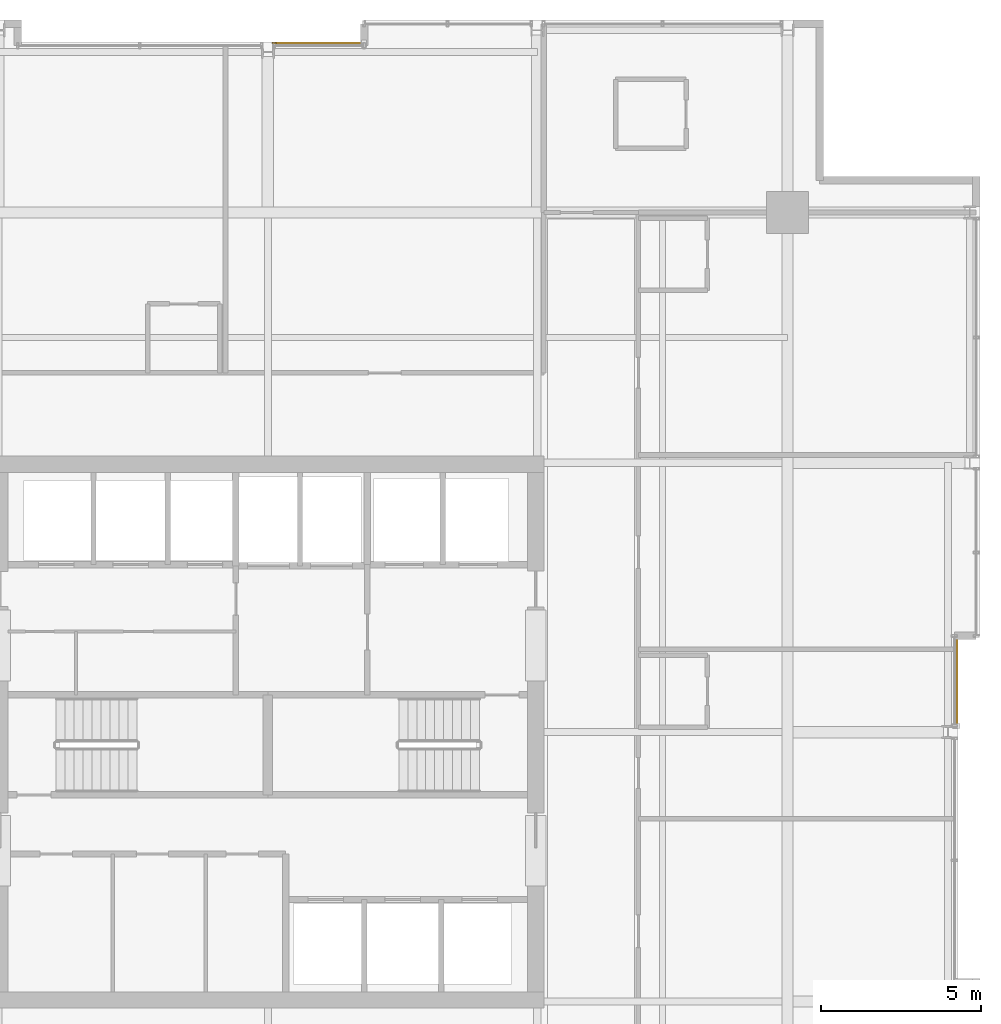
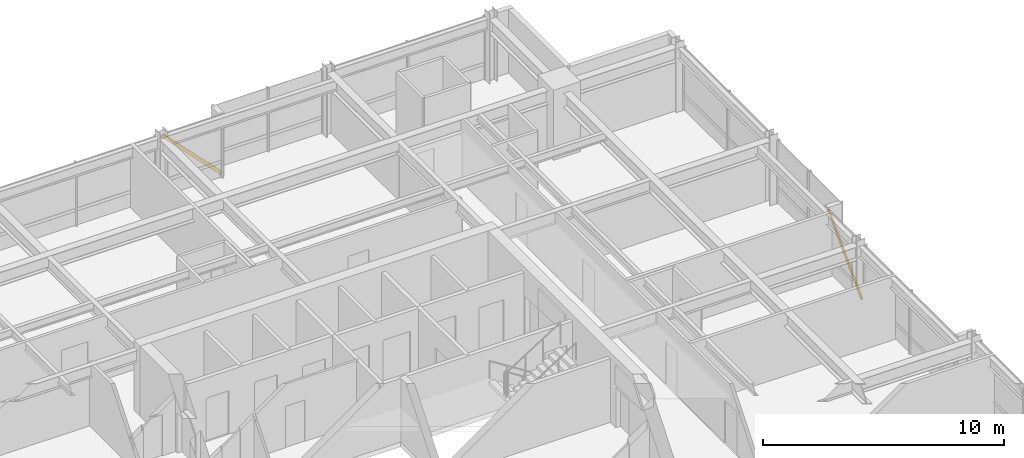
# One storey, part 33 of 33: 2 shading devices.
"""IFC4 building model written with IfcOpenShell, lengths in metres."""

import ifcopenshell
import ifcopenshell.guid

model = None  # the IFC model being written
_history = None  # IfcOwnerHistory: only IFC2X3 demands one
_inside = {}  # id of a spatial element -> (the spatial element, [elements in it])
_under = {}  # id of a project, library or spatial element -> (it, [spatial elements below it])
_declared = {}  # id of a project -> (the project, [libraries it declares])
_typed = {}  # id of a type object -> (the type object, [elements of that type])
_made_of = {}  # id of a material, layer set ... -> (it, [elements and type objects made of it])


def new_model(schema):
    """Start an empty IFC model of exactly this schema.

    Asked for "IFC4X3", IfcOpenShell would pick the latest addendum, in which some entities
    have other attributes; the version numbers below select the first issue.
    IFC2X3 requires an IfcOwnerHistory on every rooted entity: one is made here for all.
    """
    global model, _history
    if schema == "IFC4X3":
        model = ifcopenshell.file(schema_version=(4, 3, 0, 0))
    else:
        model = ifcopenshell.file(schema=schema)
    _inside.clear()
    _under.clear()
    _declared.clear()
    _typed.clear()
    _made_of.clear()
    _history = None
    if model.schema == "IFC2X3":
        org = make("IfcOrganization", Name="unknown")
        user = make(
            "IfcPersonAndOrganization",
            ThePerson=make("IfcPerson", FamilyName="unknown"),
            TheOrganization=org,
        )
        app = make(
            "IfcApplication",
            ApplicationDeveloper=org,
            Version="unknown",
            ApplicationFullName="unknown",
            ApplicationIdentifier="unknown",
        )
        _history = make(
            "IfcOwnerHistory",
            OwningUser=user,
            OwningApplication=app,
            ChangeAction="ADDED",
            CreationDate=0,
        )
    return model


def make(cls, **values):
    """One entity of the class cls with the attributes given. An attribute that is None is left unset."""
    return model.create_entity(
        cls, **{name: value for name, value in values.items() if value is not None}
    )


def rooted(cls, **values):
    """An entity with a GlobalId (a new one), such as an element, a storey or a relation."""
    return make(cls, GlobalId=ifcopenshell.guid.new(), OwnerHistory=_history, **values)


def si_unit(unit_type, name, prefix=None):
    """IfcSIUnit, for example si_unit("LENGTHUNIT", "METRE", prefix="MILLI")."""
    return make("IfcSIUnit", UnitType=unit_type, Prefix=prefix, Name=name)


def assignment(units):
    """IfcUnitAssignment: the units of a project."""
    return None if units is None else make("IfcUnitAssignment", Units=units)


def point(xyz):
    """IfcCartesianPoint."""
    return None if xyz is None else make("IfcCartesianPoint", Coordinates=xyz)


def direction(xyz):
    """IfcDirection."""
    return None if xyz is None else make("IfcDirection", DirectionRatios=xyz)


def frame(location, z_axis=None, x_axis=None):
    """IfcAxis2Placement3D, a coordinate frame: its origin and axes. An axis left out is left unset."""
    return make(
        "IfcAxis2Placement3D",
        Location=point(location),
        Axis=direction(z_axis),
        RefDirection=direction(x_axis),
    )


def frame_2d(location, x_axis=None):
    """IfcAxis2Placement2D, a coordinate frame in the plane: its origin and x axis."""
    return make(
        "IfcAxis2Placement2D", Location=point(location), RefDirection=direction(x_axis)
    )


def origin():
    """The frame at (0, 0, 0) with its axes left unset."""
    return frame((0.0, 0.0, 0.0))


def origin_2d():
    """The frame at (0, 0) in the plane with its x axis left unset."""
    return frame_2d((0.0, 0.0))


def place(relative_to, where):
    """IfcLocalPlacement: puts the frame where relative to a parent placement (None: the world)."""
    return make(
        "IfcLocalPlacement", PlacementRelTo=relative_to, RelativePlacement=where
    )


def context(
    kind, dimensions, precision=None, world=None, true_north=None, identifier=None
):
    """IfcGeometricRepresentationContext, for example the 3D "Model" context."""
    return make(
        "IfcGeometricRepresentationContext",
        ContextIdentifier=identifier,
        ContextType=kind,
        CoordinateSpaceDimension=dimensions,
        Precision=precision,
        WorldCoordinateSystem=world,
        TrueNorth=true_north,
    )


def subcontext(parent, identifier, kind, view, scale=None):
    """IfcGeometricRepresentationSubContext, for example "Body" below "Model"."""
    return make(
        "IfcGeometricRepresentationSubContext",
        ContextIdentifier=identifier,
        ContextType=kind,
        ParentContext=parent,
        TargetScale=scale,
        TargetView=view,
    )


def project(units=None, contexts=None):
    """IfcProject with its units and contexts."""
    return rooted(
        "IfcProject",
        Name="project",
        RepresentationContexts=contexts,
        UnitsInContext=assignment(units),
    )


def spatial(cls, under=None, at=None, **own):
    """A site, building, storey or space (cls), placed at a placement, below another one or the project."""
    s = rooted(cls, ObjectPlacement=at, **own)
    if under is not None:
        _under.setdefault(under.id(), (under, []))[1].append(s)
    return s


def profile(cls, at=None, kind="AREA", **sizes):
    """A parametric profile (cls). Its sizes go by their IFC names, for example OverallWidth=200.0."""
    return make(cls, ProfileType=kind, Position=at, **sizes)


def hollow_rectangle(**sizes):
    """IfcRectangleHollowProfileDef."""
    return profile("IfcRectangleHollowProfileDef", **sizes)


def extrude(swept, where, along, depth):
    """IfcExtrudedAreaSolid: the profile swept, set in the frame where, extruded along a direction by depth."""
    return make(
        "IfcExtrudedAreaSolid",
        SweptArea=swept,
        Position=where,
        ExtrudedDirection=direction(along),
        Depth=depth,
    )


def shape(context_of_items, identifier, shape_type, items):
    """IfcShapeRepresentation: the items that make up one representation, for example the "Body"."""
    return make(
        "IfcShapeRepresentation",
        ContextOfItems=context_of_items,
        RepresentationIdentifier=identifier,
        RepresentationType=shape_type,
        Items=items,
    )


def material(Name=None, Category=None):
    """IfcMaterial."""
    return make("IfcMaterial", Name=Name, Category=Category)


def material_profile(
    of_material, cross_section, Name=None, Category=None, Priority=None
):
    """IfcMaterialProfile: a cross section and its material."""
    return make(
        "IfcMaterialProfile",
        Name=Name,
        Material=of_material,
        Profile=cross_section,
        Priority=Priority,
        Category=Category,
    )


def profile_set(profiles, Name=None, composite=None):
    """IfcMaterialProfileSet."""
    return make(
        "IfcMaterialProfileSet",
        Name=Name,
        MaterialProfiles=profiles,
        CompositeProfile=composite,
    )


def made_of(thing, what):
    """Note that an element or type object is made of a material, layer set ...; save() writes the relation."""
    if what is not None:
        _made_of.setdefault(what.id(), (what, []))[1].append(thing)
    return thing


def type_object(cls, material=None, **own):
    """A type object (cls), such as IfcWallType, which elements share."""
    return made_of(rooted(cls, **own), material)


def element(
    cls,
    number,
    at=None,
    inside=None,
    cuts=None,
    type_object=None,
    material=None,
    context=None,
    identifier="Body",
    shape_type=None,
    held_by="IfcProductDefinitionShape",
    body=None,
    shapes=None,
    **own,
):
    """One element of the class cls, such as IfcWall. Its Tag is "e" and its number.

    at: its placement. inside: the storey or other place that contains it. cuts: it is an
    opening in that element (IfcRelVoidsElement). A single representation is given by context,
    identifier, shape_type and body (its items); several are given by shapes. held_by: the class
    of the entity that holds the representations. save() writes the other relations.
    """
    e = rooted(cls, Tag="e%d" % number, ObjectPlacement=at, **own)
    if body is not None:
        shapes = [shape(context, identifier, shape_type, body)]
    if shapes is not None:
        e.Representation = make(held_by, Representations=shapes)
    if inside is not None:
        _inside.setdefault(inside.id(), (inside, []))[1].append(e)
    if cuts is not None:
        rooted(
            "IfcRelVoidsElement", RelatingBuildingElement=cuts, RelatedOpeningElement=e
        )
    if type_object is not None:
        _typed.setdefault(type_object.id(), (type_object, []))[1].append(e)
    return made_of(e, material)


def aggregate(whole, parts):
    """IfcRelAggregates: a whole, such as a stair, and the parts it consists of."""
    return rooted("IfcRelAggregates", RelatingObject=whole, RelatedObjects=parts)


def save(model, path):
    """Write the relations noted so far, then the file.

    IfcRelAggregates (storeys below a building ...), IfcRelContainedInSpatialStructure (elements
    in a storey), IfcRelDefinesByType, IfcRelAssociatesMaterial and IfcRelDeclares: one each for
    every whole, place, type object, material and project.
    """
    for whole, parts in _under.values():
        aggregate(whole, parts)
    for where, things in _inside.values():
        rooted(
            "IfcRelContainedInSpatialStructure",
            RelatedElements=things,
            RelatingStructure=where,
        )
    for kind, things in _typed.values():
        rooted("IfcRelDefinesByType", RelatedObjects=things, RelatingType=kind)
    for what, things in _made_of.values():
        rooted("IfcRelAssociatesMaterial", RelatedObjects=things, RelatingMaterial=what)
    for by, libraries in _declared.values():
        rooted("IfcRelDeclares", RelatingContext=by, RelatedDefinitions=libraries)
    model.write(path)


model = new_model("IFC4")

# Units and contexts
model_context = context("Model", 3, precision=1e-05, world=origin(), true_north=direction((0.0, 1.0)))
body_context = subcontext(model_context, "Body", "Model", "MODEL_VIEW")
ifc_project = project(units=[si_unit("LENGTHUNIT", "METRE"), si_unit("AREAUNIT", "SQUARE_METRE"), si_unit("VOLUMEUNIT", "CUBIC_METRE"), si_unit("PLANEANGLEUNIT", "RADIAN"), si_unit("MASSUNIT", "GRAM", prefix="KILO")], contexts=[model_context])

# Site, building, storey
site_placement = place(None, origin())
site = spatial("IfcSite", under=ifc_project, at=site_placement, CompositionType="ELEMENT")
building_placement = place(site_placement, origin())
building = spatial("IfcBuilding", under=site, at=building_placement, Name="Drelvath Grand Hotel", CompositionType="ELEMENT")
storey_placement = place(building_placement, frame((0.0, 0.0, 196.550048828125)))
storey = spatial("IfcBuildingStorey", under=building, at=storey_placement, Name="L51", CompositionType="ELEMENT", Elevation=196.550048828125)

# Shading devices
ifc_material = material(Name="Brushed Pale-Silver Anodised Aluminium", Category="aluminium")
ifc_material_profile = material_profile(ifc_material, hollow_rectangle(XDim=0.06494140625, YDim=0.159912109375, WallThickness=0.00390625, at=origin_2d()), Name="HSS160X65X4")
ifc_profile_set = profile_set([ifc_material_profile], Name="Brushed Pale-Silver Anodised Aluminium")
shading_device_type = type_object("IfcShadingDeviceType", Name="Diagonal Solar Fin Pale-Silver Anodised HSS160X65X4", PredefinedType="USERDEFINED", material=ifc_profile_set)
for number, where, z_axis, x_axis, name in (
    (1, (21.47998046875, 27.191650390625, 0.179931640625), (0.0, 0.699373846448, 0.714756058319), (-1.0, 0.0, 0.0), "L51 Diagonal Anodised Fin CW04-L51-EM2"),
    (2, (3.0, 48.47998046875, 0.179931640625), (-0.699373846448, 0.0, 0.714756058319), (0.0, -1.0, 0.0), "L51 Diagonal Anodised Fin CW04-L51-NM2"),
):
    element("IfcShadingDevice", number, at=place(storey_placement, frame(where, z_axis=z_axis, x_axis=x_axis)), inside=storey, type_object=shading_device_type, Name=name, ObjectType="FIN", PredefinedType="USERDEFINED", context=body_context, shape_type="SweptSolid", body=[
        extrude(hollow_rectangle(XDim=0.06494140625, YDim=0.159912109375, WallThickness=0.00390625, at=origin_2d()), origin(), (0.0, 0.0, 1.0), 4.015625),
    ])

save(model, "model.ifc")
